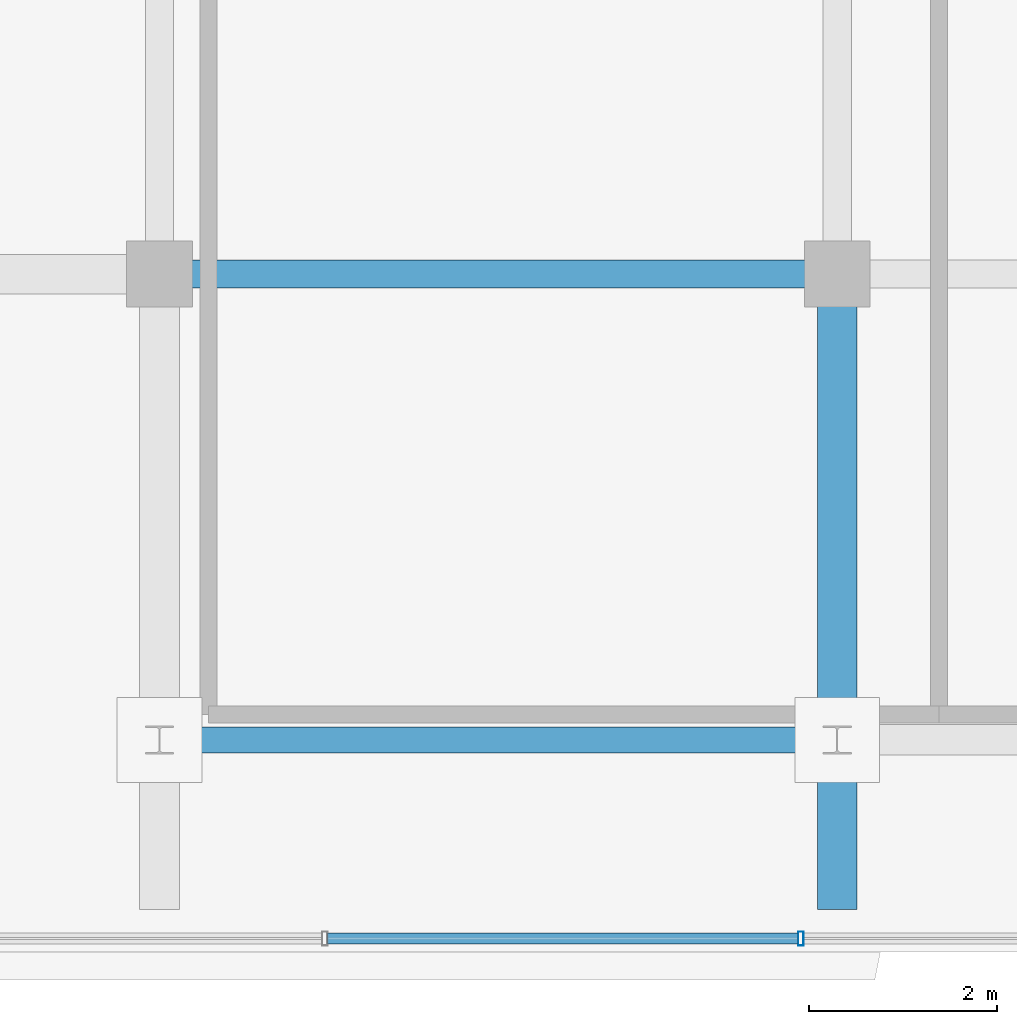
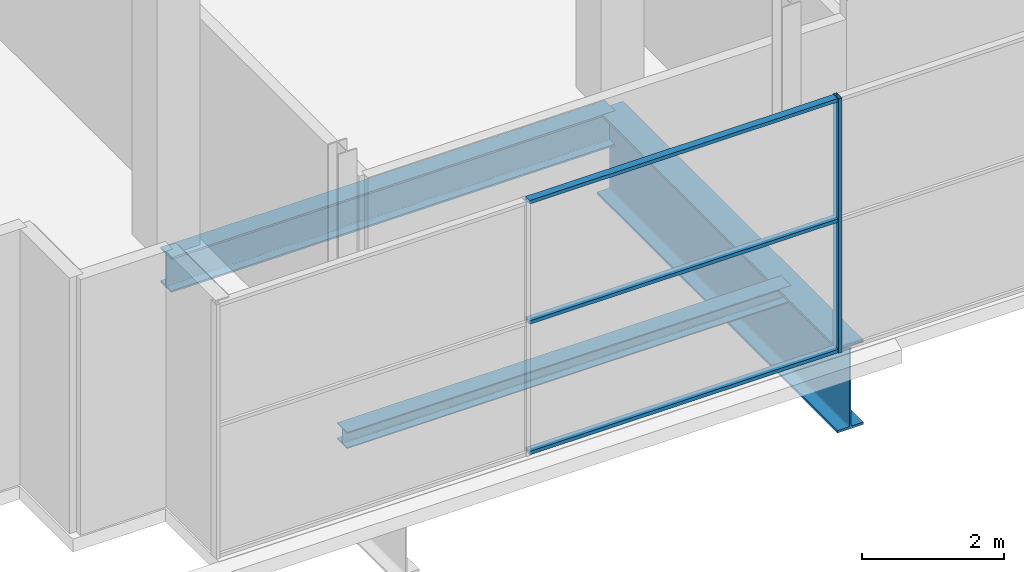
# One storey, part 4 of 28: 4 members, 3 beams, 1 element without a shape of its own.
"""IFC4 building model written with IfcOpenShell, lengths in metres."""

from ifc_helpers import new_model, si_unit, direction, frame, origin, origin_2d, place, context, subcontext, project, spatial, hollow_rectangle, i_section, extrude, source, transform, mapped, material, layer, layer_set, material_profile, profile_set, type_object, element, aggregate, save


model = new_model("IFC4")

# Units and contexts
model_context = context("Model", 3, precision=1e-05, world=origin(), true_north=direction((0.0, 1.0)))
body_context = subcontext(model_context, "Body", "Model", "MODEL_VIEW")
ifc_project = project(units=[si_unit("LENGTHUNIT", "METRE"), si_unit("AREAUNIT", "SQUARE_METRE"), si_unit("VOLUMEUNIT", "CUBIC_METRE"), si_unit("PLANEANGLEUNIT", "RADIAN"), si_unit("MASSUNIT", "GRAM", prefix="KILO")], contexts=[model_context])

# Site, building, storey
site_placement = place(None, origin())
site = spatial("IfcSite", under=ifc_project, at=site_placement, CompositionType="ELEMENT")
building_placement = place(site_placement, origin())
building = spatial("IfcBuilding", under=site, at=building_placement, Name="Zarnakvel Exchange Tower", CompositionType="ELEMENT")
storey_placement = place(building_placement, frame((0.0, 0.0, 271.60009765625)))
storey = spatial("IfcBuildingStorey", under=building, at=storey_placement, Name="Crown L77", CompositionType="ELEMENT", Elevation=271.60009765625)

# Beams
ifc_material_1 = material(Name="Steel S355", Category="steel")
ifc_material_profile_1 = material_profile(ifc_material_1, i_section(OverallWidth=0.300048828125, OverallDepth=0.60009765625, WebThickness=0.015380859375, FlangeThickness=0.030029296875, FilletRadius=0.027099609375, at=origin_2d()))
ifc_profile_set_1 = profile_set([ifc_material_profile_1], Name="Steel S355")
beam_type_1 = type_object("IfcBeamType", Name="G-04", PredefinedType="BEAM", material=ifc_profile_set_1)
beam_1_placement = place(storey_placement, frame((-14.39990234375, -9.60009765625, -0.52001953125), z_axis=(1.0, 0.0, 0.0), x_axis=(0.0, 1.0, 0.0)))
element("IfcBeam", 1, at=beam_1_placement, inside=storey, type_object=beam_type_1, Name="Crown L77 Tower E-W Frame Beam", PredefinedType="BEAM", context=body_context, shape_type="SweptSolid", body=[
    extrude(i_section(OverallWidth=0.300048828125, OverallDepth=0.60009765625, WebThickness=0.015380859375, FlangeThickness=0.030029296875, FilletRadius=0.027099609375, at=origin_2d()), origin(), (0.0, 0.0, 1.0), 7.199951171875),
])
ifc_material_profile_2 = material_profile(ifc_material_1, i_section(OverallWidth=0.280029296875, OverallDepth=0.280029296875, WebThickness=0.010498046875, FlangeThickness=0.01806640625, FilletRadius=0.02392578125, at=origin_2d()))
ifc_profile_set_2 = profile_set([ifc_material_profile_2], Name="Steel S355")
beam_type_2 = type_object("IfcBeamType", Name="SP-04", PredefinedType="SPANDREL", material=ifc_profile_set_2)
beam_2_placement = place(storey_placement, frame((-14.39990234375, -14.550048828125, -0.360107421875), z_axis=(1.0, 0.0, 0.0), x_axis=(0.0, 1.0, 0.0)))
element("IfcBeam", 2, at=beam_2_placement, inside=storey, type_object=beam_type_2, Name="Crown L77 Tower E-W Frame Beam", PredefinedType="SPANDREL", context=body_context, shape_type="SweptSolid", body=[
    extrude(i_section(OverallWidth=0.280029296875, OverallDepth=0.280029296875, WebThickness=0.010498046875, FlangeThickness=0.01806640625, FilletRadius=0.02392578125, at=origin_2d()), origin(), (0.0, 0.0, 1.0), 7.199951171875),
])
ifc_material_2 = material(Name="Steel S460", Category="steel")
ifc_material_profile_3 = material_profile(ifc_material_2, i_section(OverallWidth=0.419921875, OverallDepth=1.449951171875, WebThickness=0.02392578125, FlangeThickness=0.0400390625, FilletRadius=0.030029296875, at=origin_2d()))
ifc_profile_set_3 = profile_set([ifc_material_profile_3], Name="Steel S460")
beam_type_3 = type_object("IfcBeamType", Name="TG-01", PredefinedType="BEAM", material=ifc_profile_set_3)
beam_3_placement = place(storey_placement, frame((-7.199951171875, -16.35009765625, -0.945068359375), z_axis=(0.0, 1.0, 0.0), x_axis=(-1.0, 0.0, 0.0)))
element("IfcBeam", 3, at=beam_3_placement, inside=storey, type_object=beam_type_3, Name="Crown L77 Setback N-S Transfer Girder CS-5", PredefinedType="BEAM", context=body_context, shape_type="SweptSolid", body=[
    extrude(i_section(OverallWidth=0.419921875, OverallDepth=1.449951171875, WebThickness=0.02392578125, FlangeThickness=0.0400390625, FilletRadius=0.030029296875, at=origin_2d()), origin(), (0.0, 0.0, 1.0), 6.75),
])

# Curtain wall, members
ifc_material_3 = material(Name="Architectural Bronze Anodised Aluminium", Category="aluminium")
ifc_layer = layer(ifc_material_3, 0.14990234375)
ifc_layer_set = layer_set([ifc_layer], Name="Architectural Bronze Anodised Aluminium")
curtain_wall_type = type_object("IfcCurtainWallType", Name="CW-07", PredefinedType="NOTDEFINED", material=ifc_layer_set)
curtain_wall_placement = place(storey_placement, origin())
curtain_wall = element("IfcCurtainWall", 4, at=curtain_wall_placement, inside=storey, type_object=curtain_wall_type, Name="Crown L77 Curtain Wall CW-Crown L77-S (CW-07)", PredefinedType="NOTDEFINED")
ifc_material_profile_4 = material_profile(ifc_material_3, hollow_rectangle(XDim=0.14990234375, YDim=0.06005859375, WallThickness=0.00390625, at=origin_2d()))
ifc_profile_set_4 = profile_set([ifc_material_profile_4], Name="Architectural Bronze Anodised Aluminium")
member_type_1 = type_object("IfcMemberType", Name="CWM-07", PredefinedType="MULLION", material=ifc_profile_set_4)
shared_shape_1 = source(origin(), body_context, "Body", "SweptSolid", [
    extrude(hollow_rectangle(XDim=0.14990234375, YDim=0.06005859375, WallThickness=0.00390625, at=origin_2d()), origin(), (0.0, 0.0, 1.0), 4.35986328125),
])
member_1_placement = place(storey_placement, frame((-7.585693359375, -16.659912109375, 0.0), z_axis=(0.0, 0.0, 1.0), x_axis=(0.0, 1.0, 0.0)))
member_1 = element("IfcMember", 5, at=member_1_placement, type_object=member_type_1, Name="CW-07 mullion 3", PredefinedType="MULLION", context=body_context, shape_type="MappedRepresentation", body=[
    mapped(shared_shape_1, transform((0.0, 0.0, 0.0), x_axis=(1.0, 0.0, 0.0), y_axis=(0.0, 1.0, 0.0), z_axis=(0.0, 0.0, 1.0), scale=1.0)),
])
ifc_material_profile_5 = material_profile(ifc_material_3, hollow_rectangle(XDim=0.1201171875, YDim=0.06005859375, WallThickness=0.00390625, at=origin_2d()))
ifc_profile_set_5 = profile_set([ifc_material_profile_5], Name="Architectural Bronze Anodised Aluminium")
member_type_2 = type_object("IfcMemberType", Name="CWT-07", PredefinedType="USERDEFINED", material=ifc_profile_set_5)
shared_shape_2 = source(origin(), body_context, "Body", "SweptSolid", [
    extrude(hollow_rectangle(XDim=0.1201171875, YDim=0.06005859375, WallThickness=0.00390625, at=origin_2d()), origin(), (0.0, 0.0, 1.0), 4.9970703125),
])
member_2_placement = place(storey_placement, frame((-12.61279296875, -16.659912109375, 0.02978515625), z_axis=(1.0, 0.0, 0.0), x_axis=(0.0, 1.0, 0.0)))
member_2 = element("IfcMember", 6, at=member_2_placement, type_object=member_type_2, Name="CW-07 transom 2.1", ObjectType="TRANSOM", PredefinedType="USERDEFINED", context=body_context, shape_type="MappedRepresentation", body=[
    mapped(shared_shape_2, transform((0.0, 0.0, 0.0), x_axis=(1.0, 0.0, 0.0), y_axis=(0.0, 1.0, 0.0), z_axis=(0.0, 0.0, 1.0), scale=1.0)),
])
member_3_placement = place(storey_placement, frame((-12.61279296875, -16.659912109375, 2.26708984375), z_axis=(1.0, 0.0, 0.0), x_axis=(0.0, 1.0, 0.0)))
member_3 = element("IfcMember", 7, at=member_3_placement, type_object=member_type_2, Name="CW-07 transom 2.2", ObjectType="TRANSOM", PredefinedType="USERDEFINED", context=body_context, shape_type="MappedRepresentation", body=[
    mapped(shared_shape_2, transform((0.0, 0.0, 0.0), x_axis=(1.0, 0.0, 0.0), y_axis=(0.0, 1.0, 0.0), z_axis=(0.0, 0.0, 1.0), scale=1.0)),
])
member_4_placement = place(storey_placement, frame((-12.61279296875, -16.659912109375, 4.329833984375), z_axis=(1.0, 0.0, 0.0), x_axis=(0.0, 1.0, 0.0)))
member_4 = element("IfcMember", 8, at=member_4_placement, type_object=member_type_2, Name="CW-07 transom 2.3", ObjectType="TRANSOM", PredefinedType="USERDEFINED", context=body_context, shape_type="MappedRepresentation", body=[
    mapped(shared_shape_2, transform((0.0, 0.0, 0.0), x_axis=(1.0, 0.0, 0.0), y_axis=(0.0, 1.0, 0.0), z_axis=(0.0, 0.0, 1.0), scale=1.0)),
])
aggregate(curtain_wall, [member_1, member_2, member_3, member_4])

save(model, "model.ifc")
